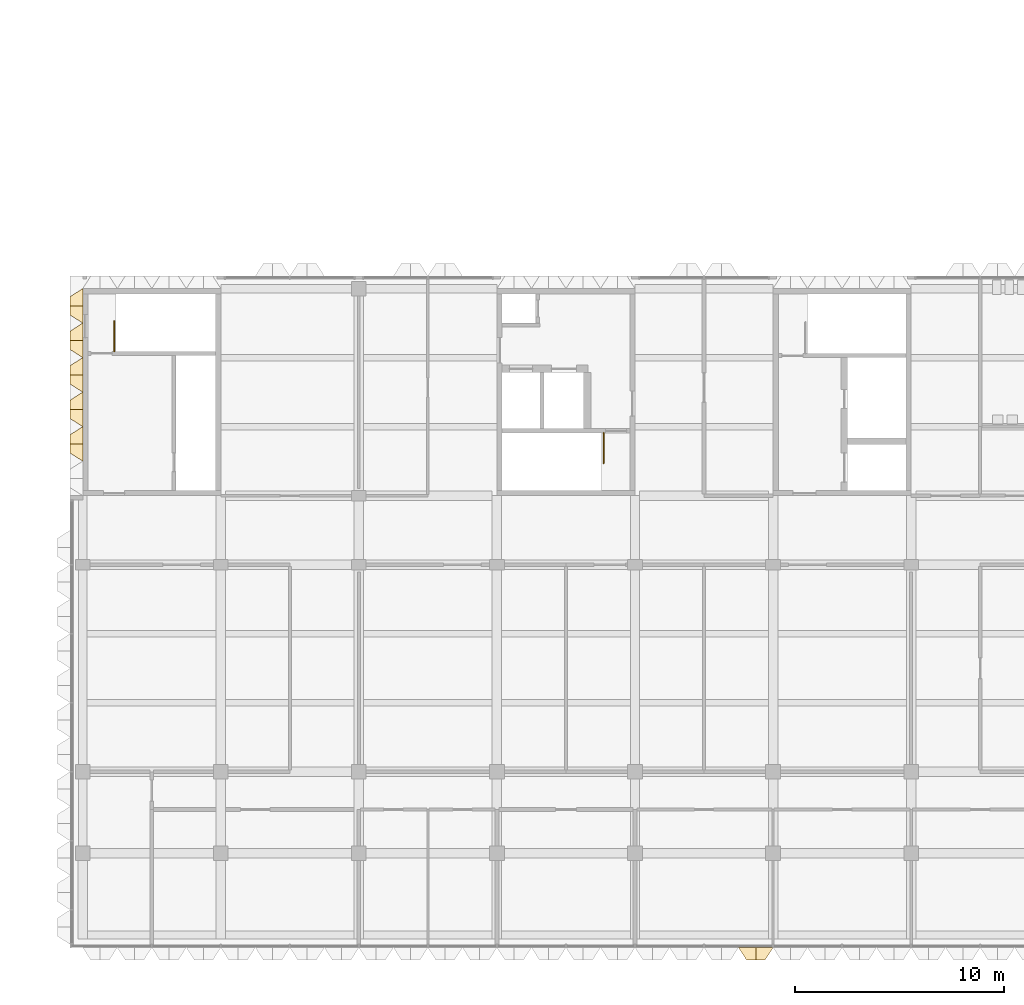
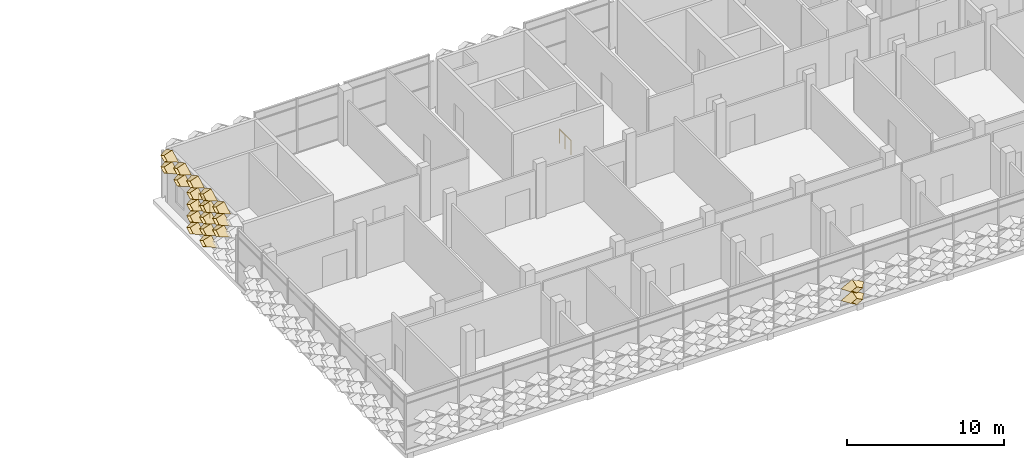
# One storey, part 36 of 61: 19 coverings, 2 railings.
"""IFC4 building model written with IfcOpenShell, lengths in metres."""

from ifc_helpers import new_model, entity, si_unit, direction, frame, origin, origin_2d, place, context, subcontext, project, spatial, circle, extrude, material, layer, layer_set, type_object, element, save


model = new_model("IFC4")

# Units and contexts
model_context = context("Model", 3, precision=1e-05, world=origin(), true_north=direction((0.0, 1.0)))
body_context = subcontext(model_context, "Body", "Model", "MODEL_VIEW")
ifc_project = project(units=[si_unit("LENGTHUNIT", "METRE"), si_unit("AREAUNIT", "SQUARE_METRE"), si_unit("VOLUMEUNIT", "CUBIC_METRE"), si_unit("PLANEANGLEUNIT", "RADIAN"), si_unit("MASSUNIT", "GRAM", prefix="KILO")], contexts=[model_context])

# Site, building, storey
site_placement = place(None, origin())
site = spatial("IfcSite", under=ifc_project, at=site_placement, CompositionType="ELEMENT")
building_placement = place(site_placement, origin())
building = spatial("IfcBuilding", under=site, at=building_placement, Name="Lantern Court Research Institute", CompositionType="ELEMENT")
storey_placement = place(building_placement, frame((0.0, 0.0, 23.39990234375)))
storey = spatial("IfcBuildingStorey", under=building, at=storey_placement, Name="L05", CompositionType="ELEMENT", Elevation=23.39990234375)

# Coverings
ifc_material_1 = material(Name="Anodised aluminium", Category="aluminium")
ifc_layer = layer(ifc_material_1, 0.01611328125)
ifc_layer_set = layer_set([ifc_layer], Name="Anodised aluminium")
covering_type = type_object("IfcCoveringType", Name="Fin cassette 1650 x 900 x 600 aluminium", PredefinedType="CLADDING", material=ifc_layer_set)
covering_1_placement = place(storey_placement, frame((32.175048828125, -8.39990234375, 0.4501953125), z_axis=(0.0, -1.0, 0.0), x_axis=(1.0, 0.0, 0.0)))
cartesian_point_1 = entity("IfcCartesianPoint", [0.824951171875, 0.0])
cartesian_point_2 = entity("IfcCartesianPoint", [0.79150390625, 0.0])
cartesian_point_3 = entity("IfcCartesianPoint", [0.44189453125, 0.0])
cartesian_point_4 = entity("IfcCartesianPoint", [0.43359375, 0.0])
element("IfcCovering", 1, at=covering_1_placement, inside=storey, type_object=covering_type, Name="Fin cassette V4S-L05 1.20", PredefinedType="CLADDING", context=body_context, shape_type="SweptSolid", body=[
    entity("IfcExtrudedAreaSolidTapered", entity("IfcArbitraryProfileDefWithVoids", "AREA", None, entity("IfcPolyline", [cartesian_point_1, entity("IfcCartesianPoint", [0.0, 0.449951171875]), entity("IfcCartesianPoint", [-0.824951171875, 0.0]), entity("IfcCartesianPoint", [0.0, -0.449951171875]), cartesian_point_1]), [entity("IfcPolyline", [cartesian_point_2, entity("IfcCartesianPoint", [0.0, 0.431884765625]), entity("IfcCartesianPoint", [-0.79150390625, 0.0]), entity("IfcCartesianPoint", [0.0, -0.431884765625]), cartesian_point_2])]), entity("IfcAxis2Placement3D", entity("IfcCartesianPoint", [0.0, 0.0, 0.0])), entity("IfcDirection", [0.0, 0.0, 1.0]), 0.60009765625, entity("IfcArbitraryProfileDefWithVoids", "AREA", None, entity("IfcPolyline", [cartesian_point_3, entity("IfcCartesianPoint", [0.0, 0.240966796875]), entity("IfcCartesianPoint", [-0.44189453125, 0.0]), entity("IfcCartesianPoint", [0.0, -0.240966796875]), cartesian_point_3]), [entity("IfcPolyline", [cartesian_point_4, entity("IfcCartesianPoint", [0.0, 0.236572265625]), entity("IfcCartesianPoint", [-0.43359375, 0.0]), entity("IfcCartesianPoint", [0.0, -0.236572265625]), cartesian_point_4])])),
])
covering_2_placement = place(storey_placement, frame((32.175048828125, -8.39990234375, 1.35009765625), z_axis=(0.0, -1.0, 0.0), x_axis=(1.0, 0.0, 0.0)))
cartesian_point_5 = entity("IfcCartesianPoint", [0.824951171875, 0.0])
cartesian_point_6 = entity("IfcCartesianPoint", [0.79150390625, 0.0])
cartesian_point_7 = entity("IfcCartesianPoint", [0.44189453125, 0.0])
cartesian_point_8 = entity("IfcCartesianPoint", [0.43359375, 0.0])
element("IfcCovering", 2, at=covering_2_placement, inside=storey, type_object=covering_type, Name="Fin cassette V4S-L05 2.20", PredefinedType="CLADDING", context=body_context, shape_type="SweptSolid", body=[
    entity("IfcExtrudedAreaSolidTapered", entity("IfcArbitraryProfileDefWithVoids", "AREA", None, entity("IfcPolyline", [cartesian_point_5, entity("IfcCartesianPoint", [0.0, 0.449951171875]), entity("IfcCartesianPoint", [-0.824951171875, 0.0]), entity("IfcCartesianPoint", [0.0, -0.449951171875]), cartesian_point_5]), [entity("IfcPolyline", [cartesian_point_6, entity("IfcCartesianPoint", [0.0, 0.431884765625]), entity("IfcCartesianPoint", [-0.79150390625, 0.0]), entity("IfcCartesianPoint", [0.0, -0.431884765625]), cartesian_point_6])]), entity("IfcAxis2Placement3D", entity("IfcCartesianPoint", [0.0, 0.0, 0.0])), entity("IfcDirection", [0.0, 0.0, 1.0]), 0.60009765625, entity("IfcArbitraryProfileDefWithVoids", "AREA", None, entity("IfcPolyline", [cartesian_point_7, entity("IfcCartesianPoint", [0.0, 0.240966796875]), entity("IfcCartesianPoint", [-0.44189453125, 0.0]), entity("IfcCartesianPoint", [0.0, -0.240966796875]), cartesian_point_7]), [entity("IfcPolyline", [cartesian_point_8, entity("IfcCartesianPoint", [0.0, 0.236572265625]), entity("IfcCartesianPoint", [-0.43359375, 0.0]), entity("IfcCartesianPoint", [0.0, -0.236572265625]), cartesian_point_8])])),
])
covering_3_placement = place(storey_placement, frame((0.0, 17.324951171875, 0.4501953125), z_axis=(-1.0, 0.0, 0.0), x_axis=(0.0, -1.0, 0.0)))
cartesian_point_9 = entity("IfcCartesianPoint", [0.824951171875, 0.0])
cartesian_point_10 = entity("IfcCartesianPoint", [0.79150390625, 0.0])
cartesian_point_11 = entity("IfcCartesianPoint", [0.44189453125, 0.0])
cartesian_point_12 = entity("IfcCartesianPoint", [0.43359375, 0.0])
element("IfcCovering", 3, at=covering_3_placement, inside=storey, type_object=covering_type, Name="Fin cassette V4W-L05 1.11", PredefinedType="CLADDING", context=body_context, shape_type="SweptSolid", body=[
    entity("IfcExtrudedAreaSolidTapered", entity("IfcArbitraryProfileDefWithVoids", "AREA", None, entity("IfcPolyline", [cartesian_point_9, entity("IfcCartesianPoint", [0.0, 0.449951171875]), entity("IfcCartesianPoint", [-0.824951171875, 0.0]), entity("IfcCartesianPoint", [0.0, -0.449951171875]), cartesian_point_9]), [entity("IfcPolyline", [cartesian_point_10, entity("IfcCartesianPoint", [0.0, 0.431884765625]), entity("IfcCartesianPoint", [-0.79150390625, 0.0]), entity("IfcCartesianPoint", [0.0, -0.431884765625]), cartesian_point_10])]), entity("IfcAxis2Placement3D", entity("IfcCartesianPoint", [0.0, 0.0, 0.0])), entity("IfcDirection", [0.0, 0.0, 1.0]), 0.60009765625, entity("IfcArbitraryProfileDefWithVoids", "AREA", None, entity("IfcPolyline", [cartesian_point_11, entity("IfcCartesianPoint", [0.0, 0.240966796875]), entity("IfcCartesianPoint", [-0.44189453125, 0.0]), entity("IfcCartesianPoint", [0.0, -0.240966796875]), cartesian_point_11]), [entity("IfcPolyline", [cartesian_point_12, entity("IfcCartesianPoint", [0.0, 0.236572265625]), entity("IfcCartesianPoint", [-0.43359375, 0.0]), entity("IfcCartesianPoint", [0.0, -0.236572265625]), cartesian_point_12])])),
])
covering_4_placement = place(storey_placement, frame((0.0, 18.97509765625, 0.4501953125), z_axis=(-1.0, 0.0, 0.0), x_axis=(0.0, -1.0, 0.0)))
cartesian_point_13 = entity("IfcCartesianPoint", [0.824951171875, 0.0])
cartesian_point_14 = entity("IfcCartesianPoint", [0.79150390625, 0.0])
cartesian_point_15 = entity("IfcCartesianPoint", [0.44189453125, 0.0])
cartesian_point_16 = entity("IfcCartesianPoint", [0.43359375, 0.0])
element("IfcCovering", 4, at=covering_4_placement, inside=storey, type_object=covering_type, Name="Fin cassette V4W-L05 1.12", PredefinedType="CLADDING", context=body_context, shape_type="SweptSolid", body=[
    entity("IfcExtrudedAreaSolidTapered", entity("IfcArbitraryProfileDefWithVoids", "AREA", None, entity("IfcPolyline", [cartesian_point_13, entity("IfcCartesianPoint", [0.0, 0.449951171875]), entity("IfcCartesianPoint", [-0.824951171875, 0.0]), entity("IfcCartesianPoint", [0.0, -0.449951171875]), cartesian_point_13]), [entity("IfcPolyline", [cartesian_point_14, entity("IfcCartesianPoint", [0.0, 0.431884765625]), entity("IfcCartesianPoint", [-0.79150390625, 0.0]), entity("IfcCartesianPoint", [0.0, -0.431884765625]), cartesian_point_14])]), entity("IfcAxis2Placement3D", entity("IfcCartesianPoint", [0.0, 0.0, 0.0])), entity("IfcDirection", [0.0, 0.0, 1.0]), 0.60009765625, entity("IfcArbitraryProfileDefWithVoids", "AREA", None, entity("IfcPolyline", [cartesian_point_15, entity("IfcCartesianPoint", [0.0, 0.240966796875]), entity("IfcCartesianPoint", [-0.44189453125, 0.0]), entity("IfcCartesianPoint", [0.0, -0.240966796875]), cartesian_point_15]), [entity("IfcPolyline", [cartesian_point_16, entity("IfcCartesianPoint", [0.0, 0.236572265625]), entity("IfcCartesianPoint", [-0.43359375, 0.0]), entity("IfcCartesianPoint", [0.0, -0.236572265625]), cartesian_point_16])])),
])
covering_5_placement = place(storey_placement, frame((0.0, 17.324951171875, 1.35009765625), z_axis=(-1.0, 0.0, 0.0), x_axis=(0.0, -1.0, 0.0)))
cartesian_point_17 = entity("IfcCartesianPoint", [0.824951171875, 0.0])
cartesian_point_18 = entity("IfcCartesianPoint", [0.79150390625, 0.0])
cartesian_point_19 = entity("IfcCartesianPoint", [0.44189453125, 0.0])
cartesian_point_20 = entity("IfcCartesianPoint", [0.43359375, 0.0])
element("IfcCovering", 5, at=covering_5_placement, inside=storey, type_object=covering_type, Name="Fin cassette V4W-L05 2.11", PredefinedType="CLADDING", context=body_context, shape_type="SweptSolid", body=[
    entity("IfcExtrudedAreaSolidTapered", entity("IfcArbitraryProfileDefWithVoids", "AREA", None, entity("IfcPolyline", [cartesian_point_17, entity("IfcCartesianPoint", [0.0, 0.449951171875]), entity("IfcCartesianPoint", [-0.824951171875, 0.0]), entity("IfcCartesianPoint", [0.0, -0.449951171875]), cartesian_point_17]), [entity("IfcPolyline", [cartesian_point_18, entity("IfcCartesianPoint", [0.0, 0.431884765625]), entity("IfcCartesianPoint", [-0.79150390625, 0.0]), entity("IfcCartesianPoint", [0.0, -0.431884765625]), cartesian_point_18])]), entity("IfcAxis2Placement3D", entity("IfcCartesianPoint", [0.0, 0.0, 0.0])), entity("IfcDirection", [0.0, 0.0, 1.0]), 0.60009765625, entity("IfcArbitraryProfileDefWithVoids", "AREA", None, entity("IfcPolyline", [cartesian_point_19, entity("IfcCartesianPoint", [0.0, 0.240966796875]), entity("IfcCartesianPoint", [-0.44189453125, 0.0]), entity("IfcCartesianPoint", [0.0, -0.240966796875]), cartesian_point_19]), [entity("IfcPolyline", [cartesian_point_20, entity("IfcCartesianPoint", [0.0, 0.236572265625]), entity("IfcCartesianPoint", [-0.43359375, 0.0]), entity("IfcCartesianPoint", [0.0, -0.236572265625]), cartesian_point_20])])),
])
covering_6_placement = place(storey_placement, frame((0.0, 18.97509765625, 1.35009765625), z_axis=(-1.0, 0.0, 0.0), x_axis=(0.0, -1.0, 0.0)))
cartesian_point_21 = entity("IfcCartesianPoint", [0.824951171875, 0.0])
cartesian_point_22 = entity("IfcCartesianPoint", [0.79150390625, 0.0])
cartesian_point_23 = entity("IfcCartesianPoint", [0.44189453125, 0.0])
cartesian_point_24 = entity("IfcCartesianPoint", [0.43359375, 0.0])
element("IfcCovering", 6, at=covering_6_placement, inside=storey, type_object=covering_type, Name="Fin cassette V4W-L05 2.12", PredefinedType="CLADDING", context=body_context, shape_type="SweptSolid", body=[
    entity("IfcExtrudedAreaSolidTapered", entity("IfcArbitraryProfileDefWithVoids", "AREA", None, entity("IfcPolyline", [cartesian_point_21, entity("IfcCartesianPoint", [0.0, 0.449951171875]), entity("IfcCartesianPoint", [-0.824951171875, 0.0]), entity("IfcCartesianPoint", [0.0, -0.449951171875]), cartesian_point_21]), [entity("IfcPolyline", [cartesian_point_22, entity("IfcCartesianPoint", [0.0, 0.431884765625]), entity("IfcCartesianPoint", [-0.79150390625, 0.0]), entity("IfcCartesianPoint", [0.0, -0.431884765625]), cartesian_point_22])]), entity("IfcAxis2Placement3D", entity("IfcCartesianPoint", [0.0, 0.0, 0.0])), entity("IfcDirection", [0.0, 0.0, 1.0]), 0.60009765625, entity("IfcArbitraryProfileDefWithVoids", "AREA", None, entity("IfcPolyline", [cartesian_point_23, entity("IfcCartesianPoint", [0.0, 0.240966796875]), entity("IfcCartesianPoint", [-0.44189453125, 0.0]), entity("IfcCartesianPoint", [0.0, -0.240966796875]), cartesian_point_23]), [entity("IfcPolyline", [cartesian_point_24, entity("IfcCartesianPoint", [0.0, 0.236572265625]), entity("IfcCartesianPoint", [-0.43359375, 0.0]), entity("IfcCartesianPoint", [0.0, -0.236572265625]), cartesian_point_24])])),
])
covering_7_placement = place(storey_placement, frame((0.0, 15.675048828125, 2.25), z_axis=(-1.0, 0.0, 0.0), x_axis=(0.0, -1.0, 0.0)))
cartesian_point_25 = entity("IfcCartesianPoint", [0.824951171875, 0.0])
cartesian_point_26 = entity("IfcCartesianPoint", [0.79150390625, 0.0])
cartesian_point_27 = entity("IfcCartesianPoint", [0.44189453125, 0.0])
cartesian_point_28 = entity("IfcCartesianPoint", [0.43359375, 0.0])
element("IfcCovering", 7, at=covering_7_placement, inside=storey, type_object=covering_type, Name="Fin cassette V4W-L05 3.10", PredefinedType="CLADDING", context=body_context, shape_type="SweptSolid", body=[
    entity("IfcExtrudedAreaSolidTapered", entity("IfcArbitraryProfileDefWithVoids", "AREA", None, entity("IfcPolyline", [cartesian_point_25, entity("IfcCartesianPoint", [0.0, 0.449951171875]), entity("IfcCartesianPoint", [-0.824951171875, 0.0]), entity("IfcCartesianPoint", [0.0, -0.449951171875]), cartesian_point_25]), [entity("IfcPolyline", [cartesian_point_26, entity("IfcCartesianPoint", [0.0, 0.431884765625]), entity("IfcCartesianPoint", [-0.79150390625, 0.0]), entity("IfcCartesianPoint", [0.0, -0.431884765625]), cartesian_point_26])]), entity("IfcAxis2Placement3D", entity("IfcCartesianPoint", [0.0, 0.0, 0.0])), entity("IfcDirection", [0.0, 0.0, 1.0]), 0.60009765625, entity("IfcArbitraryProfileDefWithVoids", "AREA", None, entity("IfcPolyline", [cartesian_point_27, entity("IfcCartesianPoint", [0.0, 0.240966796875]), entity("IfcCartesianPoint", [-0.44189453125, 0.0]), entity("IfcCartesianPoint", [0.0, -0.240966796875]), cartesian_point_27]), [entity("IfcPolyline", [cartesian_point_28, entity("IfcCartesianPoint", [0.0, 0.236572265625]), entity("IfcCartesianPoint", [-0.43359375, 0.0]), entity("IfcCartesianPoint", [0.0, -0.236572265625]), cartesian_point_28])])),
])
covering_8_placement = place(storey_placement, frame((0.0, 17.324951171875, 2.25), z_axis=(-1.0, 0.0, 0.0), x_axis=(0.0, -1.0, 0.0)))
cartesian_point_29 = entity("IfcCartesianPoint", [0.824951171875, 0.0])
cartesian_point_30 = entity("IfcCartesianPoint", [0.79150390625, 0.0])
cartesian_point_31 = entity("IfcCartesianPoint", [0.44189453125, 0.0])
cartesian_point_32 = entity("IfcCartesianPoint", [0.43359375, 0.0])
element("IfcCovering", 8, at=covering_8_placement, inside=storey, type_object=covering_type, Name="Fin cassette V4W-L05 3.11", PredefinedType="CLADDING", context=body_context, shape_type="SweptSolid", body=[
    entity("IfcExtrudedAreaSolidTapered", entity("IfcArbitraryProfileDefWithVoids", "AREA", None, entity("IfcPolyline", [cartesian_point_29, entity("IfcCartesianPoint", [0.0, 0.449951171875]), entity("IfcCartesianPoint", [-0.824951171875, 0.0]), entity("IfcCartesianPoint", [0.0, -0.449951171875]), cartesian_point_29]), [entity("IfcPolyline", [cartesian_point_30, entity("IfcCartesianPoint", [0.0, 0.431884765625]), entity("IfcCartesianPoint", [-0.79150390625, 0.0]), entity("IfcCartesianPoint", [0.0, -0.431884765625]), cartesian_point_30])]), entity("IfcAxis2Placement3D", entity("IfcCartesianPoint", [0.0, 0.0, 0.0])), entity("IfcDirection", [0.0, 0.0, 1.0]), 0.60009765625, entity("IfcArbitraryProfileDefWithVoids", "AREA", None, entity("IfcPolyline", [cartesian_point_31, entity("IfcCartesianPoint", [0.0, 0.240966796875]), entity("IfcCartesianPoint", [-0.44189453125, 0.0]), entity("IfcCartesianPoint", [0.0, -0.240966796875]), cartesian_point_31]), [entity("IfcPolyline", [cartesian_point_32, entity("IfcCartesianPoint", [0.0, 0.236572265625]), entity("IfcCartesianPoint", [-0.43359375, 0.0]), entity("IfcCartesianPoint", [0.0, -0.236572265625]), cartesian_point_32])])),
])
covering_9_placement = place(storey_placement, frame((0.0, 18.97509765625, 2.25), z_axis=(-1.0, 0.0, 0.0), x_axis=(0.0, -1.0, 0.0)))
cartesian_point_33 = entity("IfcCartesianPoint", [0.824951171875, 0.0])
cartesian_point_34 = entity("IfcCartesianPoint", [0.79150390625, 0.0])
cartesian_point_35 = entity("IfcCartesianPoint", [0.44189453125, 0.0])
cartesian_point_36 = entity("IfcCartesianPoint", [0.43359375, 0.0])
element("IfcCovering", 9, at=covering_9_placement, inside=storey, type_object=covering_type, Name="Fin cassette V4W-L05 3.12", PredefinedType="CLADDING", context=body_context, shape_type="SweptSolid", body=[
    entity("IfcExtrudedAreaSolidTapered", entity("IfcArbitraryProfileDefWithVoids", "AREA", None, entity("IfcPolyline", [cartesian_point_33, entity("IfcCartesianPoint", [0.0, 0.449951171875]), entity("IfcCartesianPoint", [-0.824951171875, 0.0]), entity("IfcCartesianPoint", [0.0, -0.449951171875]), cartesian_point_33]), [entity("IfcPolyline", [cartesian_point_34, entity("IfcCartesianPoint", [0.0, 0.431884765625]), entity("IfcCartesianPoint", [-0.79150390625, 0.0]), entity("IfcCartesianPoint", [0.0, -0.431884765625]), cartesian_point_34])]), entity("IfcAxis2Placement3D", entity("IfcCartesianPoint", [0.0, 0.0, 0.0])), entity("IfcDirection", [0.0, 0.0, 1.0]), 0.60009765625, entity("IfcArbitraryProfileDefWithVoids", "AREA", None, entity("IfcPolyline", [cartesian_point_35, entity("IfcCartesianPoint", [0.0, 0.240966796875]), entity("IfcCartesianPoint", [-0.44189453125, 0.0]), entity("IfcCartesianPoint", [0.0, -0.240966796875]), cartesian_point_35]), [entity("IfcPolyline", [cartesian_point_36, entity("IfcCartesianPoint", [0.0, 0.236572265625]), entity("IfcCartesianPoint", [-0.43359375, 0.0]), entity("IfcCartesianPoint", [0.0, -0.236572265625]), cartesian_point_36])])),
])
covering_10_placement = place(storey_placement, frame((0.0, 15.675048828125, 3.150146484375), z_axis=(-1.0, 0.0, 0.0), x_axis=(0.0, -1.0, 0.0)))
cartesian_point_37 = entity("IfcCartesianPoint", [0.824951171875, 0.0])
cartesian_point_38 = entity("IfcCartesianPoint", [0.79150390625, 0.0])
cartesian_point_39 = entity("IfcCartesianPoint", [0.44189453125, 0.0])
cartesian_point_40 = entity("IfcCartesianPoint", [0.43359375, 0.0])
element("IfcCovering", 10, at=covering_10_placement, inside=storey, type_object=covering_type, Name="Fin cassette V4W-L05 4.10", PredefinedType="CLADDING", context=body_context, shape_type="SweptSolid", body=[
    entity("IfcExtrudedAreaSolidTapered", entity("IfcArbitraryProfileDefWithVoids", "AREA", None, entity("IfcPolyline", [cartesian_point_37, entity("IfcCartesianPoint", [0.0, 0.449951171875]), entity("IfcCartesianPoint", [-0.824951171875, 0.0]), entity("IfcCartesianPoint", [0.0, -0.449951171875]), cartesian_point_37]), [entity("IfcPolyline", [cartesian_point_38, entity("IfcCartesianPoint", [0.0, 0.431884765625]), entity("IfcCartesianPoint", [-0.79150390625, 0.0]), entity("IfcCartesianPoint", [0.0, -0.431884765625]), cartesian_point_38])]), entity("IfcAxis2Placement3D", entity("IfcCartesianPoint", [0.0, 0.0, 0.0])), entity("IfcDirection", [0.0, 0.0, 1.0]), 0.60009765625, entity("IfcArbitraryProfileDefWithVoids", "AREA", None, entity("IfcPolyline", [cartesian_point_39, entity("IfcCartesianPoint", [0.0, 0.240966796875]), entity("IfcCartesianPoint", [-0.44189453125, 0.0]), entity("IfcCartesianPoint", [0.0, -0.240966796875]), cartesian_point_39]), [entity("IfcPolyline", [cartesian_point_40, entity("IfcCartesianPoint", [0.0, 0.236572265625]), entity("IfcCartesianPoint", [-0.43359375, 0.0]), entity("IfcCartesianPoint", [0.0, -0.236572265625]), cartesian_point_40])])),
])
covering_11_placement = place(storey_placement, frame((0.0, 17.324951171875, 3.150146484375), z_axis=(-1.0, 0.0, 0.0), x_axis=(0.0, -1.0, 0.0)))
cartesian_point_41 = entity("IfcCartesianPoint", [0.824951171875, 0.0])
cartesian_point_42 = entity("IfcCartesianPoint", [0.79150390625, 0.0])
cartesian_point_43 = entity("IfcCartesianPoint", [0.44189453125, 0.0])
cartesian_point_44 = entity("IfcCartesianPoint", [0.43359375, 0.0])
element("IfcCovering", 11, at=covering_11_placement, inside=storey, type_object=covering_type, Name="Fin cassette V4W-L05 4.11", PredefinedType="CLADDING", context=body_context, shape_type="SweptSolid", body=[
    entity("IfcExtrudedAreaSolidTapered", entity("IfcArbitraryProfileDefWithVoids", "AREA", None, entity("IfcPolyline", [cartesian_point_41, entity("IfcCartesianPoint", [0.0, 0.449951171875]), entity("IfcCartesianPoint", [-0.824951171875, 0.0]), entity("IfcCartesianPoint", [0.0, -0.449951171875]), cartesian_point_41]), [entity("IfcPolyline", [cartesian_point_42, entity("IfcCartesianPoint", [0.0, 0.431884765625]), entity("IfcCartesianPoint", [-0.79150390625, 0.0]), entity("IfcCartesianPoint", [0.0, -0.431884765625]), cartesian_point_42])]), entity("IfcAxis2Placement3D", entity("IfcCartesianPoint", [0.0, 0.0, 0.0])), entity("IfcDirection", [0.0, 0.0, 1.0]), 0.60009765625, entity("IfcArbitraryProfileDefWithVoids", "AREA", None, entity("IfcPolyline", [cartesian_point_43, entity("IfcCartesianPoint", [0.0, 0.240966796875]), entity("IfcCartesianPoint", [-0.44189453125, 0.0]), entity("IfcCartesianPoint", [0.0, -0.240966796875]), cartesian_point_43]), [entity("IfcPolyline", [cartesian_point_44, entity("IfcCartesianPoint", [0.0, 0.236572265625]), entity("IfcCartesianPoint", [-0.43359375, 0.0]), entity("IfcCartesianPoint", [0.0, -0.236572265625]), cartesian_point_44])])),
])
covering_12_placement = place(storey_placement, frame((0.0, 18.97509765625, 3.150146484375), z_axis=(-1.0, 0.0, 0.0), x_axis=(0.0, -1.0, 0.0)))
cartesian_point_45 = entity("IfcCartesianPoint", [0.824951171875, 0.0])
cartesian_point_46 = entity("IfcCartesianPoint", [0.79150390625, 0.0])
cartesian_point_47 = entity("IfcCartesianPoint", [0.44189453125, 0.0])
cartesian_point_48 = entity("IfcCartesianPoint", [0.43359375, 0.0])
element("IfcCovering", 12, at=covering_12_placement, inside=storey, type_object=covering_type, Name="Fin cassette V4W-L05 4.12", PredefinedType="CLADDING", context=body_context, shape_type="SweptSolid", body=[
    entity("IfcExtrudedAreaSolidTapered", entity("IfcArbitraryProfileDefWithVoids", "AREA", None, entity("IfcPolyline", [cartesian_point_45, entity("IfcCartesianPoint", [0.0, 0.449951171875]), entity("IfcCartesianPoint", [-0.824951171875, 0.0]), entity("IfcCartesianPoint", [0.0, -0.449951171875]), cartesian_point_45]), [entity("IfcPolyline", [cartesian_point_46, entity("IfcCartesianPoint", [0.0, 0.431884765625]), entity("IfcCartesianPoint", [-0.79150390625, 0.0]), entity("IfcCartesianPoint", [0.0, -0.431884765625]), cartesian_point_46])]), entity("IfcAxis2Placement3D", entity("IfcCartesianPoint", [0.0, 0.0, 0.0])), entity("IfcDirection", [0.0, 0.0, 1.0]), 0.60009765625, entity("IfcArbitraryProfileDefWithVoids", "AREA", None, entity("IfcPolyline", [cartesian_point_47, entity("IfcCartesianPoint", [0.0, 0.240966796875]), entity("IfcCartesianPoint", [-0.44189453125, 0.0]), entity("IfcCartesianPoint", [0.0, -0.240966796875]), cartesian_point_47]), [entity("IfcPolyline", [cartesian_point_48, entity("IfcCartesianPoint", [0.0, 0.236572265625]), entity("IfcCartesianPoint", [-0.43359375, 0.0]), entity("IfcCartesianPoint", [0.0, -0.236572265625]), cartesian_point_48])])),
])
covering_13_placement = place(storey_placement, frame((0.0, 20.625, 3.150146484375), z_axis=(-1.0, 0.0, 0.0), x_axis=(0.0, -1.0, 0.0)))
cartesian_point_49 = entity("IfcCartesianPoint", [0.824951171875, 0.0])
cartesian_point_50 = entity("IfcCartesianPoint", [0.79150390625, 0.0])
cartesian_point_51 = entity("IfcCartesianPoint", [0.44189453125, 0.0])
cartesian_point_52 = entity("IfcCartesianPoint", [0.43359375, 0.0])
element("IfcCovering", 13, at=covering_13_placement, inside=storey, type_object=covering_type, Name="Fin cassette V4W-L05 4.13", PredefinedType="CLADDING", context=body_context, shape_type="SweptSolid", body=[
    entity("IfcExtrudedAreaSolidTapered", entity("IfcArbitraryProfileDefWithVoids", "AREA", None, entity("IfcPolyline", [cartesian_point_49, entity("IfcCartesianPoint", [0.0, 0.449951171875]), entity("IfcCartesianPoint", [-0.824951171875, 0.0]), entity("IfcCartesianPoint", [0.0, -0.449951171875]), cartesian_point_49]), [entity("IfcPolyline", [cartesian_point_50, entity("IfcCartesianPoint", [0.0, 0.431884765625]), entity("IfcCartesianPoint", [-0.79150390625, 0.0]), entity("IfcCartesianPoint", [0.0, -0.431884765625]), cartesian_point_50])]), entity("IfcAxis2Placement3D", entity("IfcCartesianPoint", [0.0, 0.0, 0.0])), entity("IfcDirection", [0.0, 0.0, 1.0]), 0.60009765625, entity("IfcArbitraryProfileDefWithVoids", "AREA", None, entity("IfcPolyline", [cartesian_point_51, entity("IfcCartesianPoint", [0.0, 0.240966796875]), entity("IfcCartesianPoint", [-0.44189453125, 0.0]), entity("IfcCartesianPoint", [0.0, -0.240966796875]), cartesian_point_51]), [entity("IfcPolyline", [cartesian_point_52, entity("IfcCartesianPoint", [0.0, 0.236572265625]), entity("IfcCartesianPoint", [-0.43359375, 0.0]), entity("IfcCartesianPoint", [0.0, -0.236572265625]), cartesian_point_52])])),
])
covering_14_placement = place(storey_placement, frame((0.0, 22.27490234375, 3.150146484375), z_axis=(-1.0, 0.0, 0.0), x_axis=(0.0, -1.0, 0.0)))
cartesian_point_53 = entity("IfcCartesianPoint", [0.824951171875, 0.0])
cartesian_point_54 = entity("IfcCartesianPoint", [0.79150390625, 0.0])
cartesian_point_55 = entity("IfcCartesianPoint", [0.44189453125, 0.0])
cartesian_point_56 = entity("IfcCartesianPoint", [0.43359375, 0.0])
element("IfcCovering", 14, at=covering_14_placement, inside=storey, type_object=covering_type, Name="Fin cassette V4W-L05 4.14", PredefinedType="CLADDING", context=body_context, shape_type="SweptSolid", body=[
    entity("IfcExtrudedAreaSolidTapered", entity("IfcArbitraryProfileDefWithVoids", "AREA", None, entity("IfcPolyline", [cartesian_point_53, entity("IfcCartesianPoint", [0.0, 0.449951171875]), entity("IfcCartesianPoint", [-0.824951171875, 0.0]), entity("IfcCartesianPoint", [0.0, -0.449951171875]), cartesian_point_53]), [entity("IfcPolyline", [cartesian_point_54, entity("IfcCartesianPoint", [0.0, 0.431884765625]), entity("IfcCartesianPoint", [-0.79150390625, 0.0]), entity("IfcCartesianPoint", [0.0, -0.431884765625]), cartesian_point_54])]), entity("IfcAxis2Placement3D", entity("IfcCartesianPoint", [0.0, 0.0, 0.0])), entity("IfcDirection", [0.0, 0.0, 1.0]), 0.60009765625, entity("IfcArbitraryProfileDefWithVoids", "AREA", None, entity("IfcPolyline", [cartesian_point_55, entity("IfcCartesianPoint", [0.0, 0.240966796875]), entity("IfcCartesianPoint", [-0.44189453125, 0.0]), entity("IfcCartesianPoint", [0.0, -0.240966796875]), cartesian_point_55]), [entity("IfcPolyline", [cartesian_point_56, entity("IfcCartesianPoint", [0.0, 0.236572265625]), entity("IfcCartesianPoint", [-0.43359375, 0.0]), entity("IfcCartesianPoint", [0.0, -0.236572265625]), cartesian_point_56])])),
])
covering_15_placement = place(storey_placement, frame((0.0, 15.675048828125, 4.050048828125), z_axis=(-1.0, 0.0, 0.0), x_axis=(0.0, -1.0, 0.0)))
cartesian_point_57 = entity("IfcCartesianPoint", [0.824951171875, 0.0])
cartesian_point_58 = entity("IfcCartesianPoint", [0.79150390625, 0.0])
cartesian_point_59 = entity("IfcCartesianPoint", [0.44189453125, 0.0])
cartesian_point_60 = entity("IfcCartesianPoint", [0.43359375, 0.0])
element("IfcCovering", 15, at=covering_15_placement, inside=storey, type_object=covering_type, Name="Fin cassette V4W-L05 5.10", PredefinedType="CLADDING", context=body_context, shape_type="SweptSolid", body=[
    entity("IfcExtrudedAreaSolidTapered", entity("IfcArbitraryProfileDefWithVoids", "AREA", None, entity("IfcPolyline", [cartesian_point_57, entity("IfcCartesianPoint", [0.0, 0.449951171875]), entity("IfcCartesianPoint", [-0.824951171875, 0.0]), entity("IfcCartesianPoint", [0.0, -0.449951171875]), cartesian_point_57]), [entity("IfcPolyline", [cartesian_point_58, entity("IfcCartesianPoint", [0.0, 0.431884765625]), entity("IfcCartesianPoint", [-0.79150390625, 0.0]), entity("IfcCartesianPoint", [0.0, -0.431884765625]), cartesian_point_58])]), entity("IfcAxis2Placement3D", entity("IfcCartesianPoint", [0.0, 0.0, 0.0])), entity("IfcDirection", [0.0, 0.0, 1.0]), 0.60009765625, entity("IfcArbitraryProfileDefWithVoids", "AREA", None, entity("IfcPolyline", [cartesian_point_59, entity("IfcCartesianPoint", [0.0, 0.240966796875]), entity("IfcCartesianPoint", [-0.44189453125, 0.0]), entity("IfcCartesianPoint", [0.0, -0.240966796875]), cartesian_point_59]), [entity("IfcPolyline", [cartesian_point_60, entity("IfcCartesianPoint", [0.0, 0.236572265625]), entity("IfcCartesianPoint", [-0.43359375, 0.0]), entity("IfcCartesianPoint", [0.0, -0.236572265625]), cartesian_point_60])])),
])
covering_16_placement = place(storey_placement, frame((0.0, 17.324951171875, 4.050048828125), z_axis=(-1.0, 0.0, 0.0), x_axis=(0.0, -1.0, 0.0)))
cartesian_point_61 = entity("IfcCartesianPoint", [0.824951171875, 0.0])
cartesian_point_62 = entity("IfcCartesianPoint", [0.79150390625, 0.0])
cartesian_point_63 = entity("IfcCartesianPoint", [0.44189453125, 0.0])
cartesian_point_64 = entity("IfcCartesianPoint", [0.43359375, 0.0])
element("IfcCovering", 16, at=covering_16_placement, inside=storey, type_object=covering_type, Name="Fin cassette V4W-L05 5.11", PredefinedType="CLADDING", context=body_context, shape_type="SweptSolid", body=[
    entity("IfcExtrudedAreaSolidTapered", entity("IfcArbitraryProfileDefWithVoids", "AREA", None, entity("IfcPolyline", [cartesian_point_61, entity("IfcCartesianPoint", [0.0, 0.449951171875]), entity("IfcCartesianPoint", [-0.824951171875, 0.0]), entity("IfcCartesianPoint", [0.0, -0.449951171875]), cartesian_point_61]), [entity("IfcPolyline", [cartesian_point_62, entity("IfcCartesianPoint", [0.0, 0.431884765625]), entity("IfcCartesianPoint", [-0.79150390625, 0.0]), entity("IfcCartesianPoint", [0.0, -0.431884765625]), cartesian_point_62])]), entity("IfcAxis2Placement3D", entity("IfcCartesianPoint", [0.0, 0.0, 0.0])), entity("IfcDirection", [0.0, 0.0, 1.0]), 0.60009765625, entity("IfcArbitraryProfileDefWithVoids", "AREA", None, entity("IfcPolyline", [cartesian_point_63, entity("IfcCartesianPoint", [0.0, 0.240966796875]), entity("IfcCartesianPoint", [-0.44189453125, 0.0]), entity("IfcCartesianPoint", [0.0, -0.240966796875]), cartesian_point_63]), [entity("IfcPolyline", [cartesian_point_64, entity("IfcCartesianPoint", [0.0, 0.236572265625]), entity("IfcCartesianPoint", [-0.43359375, 0.0]), entity("IfcCartesianPoint", [0.0, -0.236572265625]), cartesian_point_64])])),
])
covering_17_placement = place(storey_placement, frame((0.0, 18.97509765625, 4.050048828125), z_axis=(-1.0, 0.0, 0.0), x_axis=(0.0, -1.0, 0.0)))
cartesian_point_65 = entity("IfcCartesianPoint", [0.824951171875, 0.0])
cartesian_point_66 = entity("IfcCartesianPoint", [0.79150390625, 0.0])
cartesian_point_67 = entity("IfcCartesianPoint", [0.44189453125, 0.0])
cartesian_point_68 = entity("IfcCartesianPoint", [0.43359375, 0.0])
element("IfcCovering", 17, at=covering_17_placement, inside=storey, type_object=covering_type, Name="Fin cassette V4W-L05 5.12", PredefinedType="CLADDING", context=body_context, shape_type="SweptSolid", body=[
    entity("IfcExtrudedAreaSolidTapered", entity("IfcArbitraryProfileDefWithVoids", "AREA", None, entity("IfcPolyline", [cartesian_point_65, entity("IfcCartesianPoint", [0.0, 0.449951171875]), entity("IfcCartesianPoint", [-0.824951171875, 0.0]), entity("IfcCartesianPoint", [0.0, -0.449951171875]), cartesian_point_65]), [entity("IfcPolyline", [cartesian_point_66, entity("IfcCartesianPoint", [0.0, 0.431884765625]), entity("IfcCartesianPoint", [-0.79150390625, 0.0]), entity("IfcCartesianPoint", [0.0, -0.431884765625]), cartesian_point_66])]), entity("IfcAxis2Placement3D", entity("IfcCartesianPoint", [0.0, 0.0, 0.0])), entity("IfcDirection", [0.0, 0.0, 1.0]), 0.60009765625, entity("IfcArbitraryProfileDefWithVoids", "AREA", None, entity("IfcPolyline", [cartesian_point_67, entity("IfcCartesianPoint", [0.0, 0.240966796875]), entity("IfcCartesianPoint", [-0.44189453125, 0.0]), entity("IfcCartesianPoint", [0.0, -0.240966796875]), cartesian_point_67]), [entity("IfcPolyline", [cartesian_point_68, entity("IfcCartesianPoint", [0.0, 0.236572265625]), entity("IfcCartesianPoint", [-0.43359375, 0.0]), entity("IfcCartesianPoint", [0.0, -0.236572265625]), cartesian_point_68])])),
])
covering_18_placement = place(storey_placement, frame((0.0, 20.625, 4.050048828125), z_axis=(-1.0, 0.0, 0.0), x_axis=(0.0, -1.0, 0.0)))
cartesian_point_69 = entity("IfcCartesianPoint", [0.824951171875, 0.0])
cartesian_point_70 = entity("IfcCartesianPoint", [0.79150390625, 0.0])
cartesian_point_71 = entity("IfcCartesianPoint", [0.44189453125, 0.0])
cartesian_point_72 = entity("IfcCartesianPoint", [0.43359375, 0.0])
element("IfcCovering", 18, at=covering_18_placement, inside=storey, type_object=covering_type, Name="Fin cassette V4W-L05 5.13", PredefinedType="CLADDING", context=body_context, shape_type="SweptSolid", body=[
    entity("IfcExtrudedAreaSolidTapered", entity("IfcArbitraryProfileDefWithVoids", "AREA", None, entity("IfcPolyline", [cartesian_point_69, entity("IfcCartesianPoint", [0.0, 0.449951171875]), entity("IfcCartesianPoint", [-0.824951171875, 0.0]), entity("IfcCartesianPoint", [0.0, -0.449951171875]), cartesian_point_69]), [entity("IfcPolyline", [cartesian_point_70, entity("IfcCartesianPoint", [0.0, 0.431884765625]), entity("IfcCartesianPoint", [-0.79150390625, 0.0]), entity("IfcCartesianPoint", [0.0, -0.431884765625]), cartesian_point_70])]), entity("IfcAxis2Placement3D", entity("IfcCartesianPoint", [0.0, 0.0, 0.0])), entity("IfcDirection", [0.0, 0.0, 1.0]), 0.60009765625, entity("IfcArbitraryProfileDefWithVoids", "AREA", None, entity("IfcPolyline", [cartesian_point_71, entity("IfcCartesianPoint", [0.0, 0.240966796875]), entity("IfcCartesianPoint", [-0.44189453125, 0.0]), entity("IfcCartesianPoint", [0.0, -0.240966796875]), cartesian_point_71]), [entity("IfcPolyline", [cartesian_point_72, entity("IfcCartesianPoint", [0.0, 0.236572265625]), entity("IfcCartesianPoint", [-0.43359375, 0.0]), entity("IfcCartesianPoint", [0.0, -0.236572265625]), cartesian_point_72])])),
])
covering_19_placement = place(storey_placement, frame((0.0, 22.27490234375, 4.050048828125), z_axis=(-1.0, 0.0, 0.0), x_axis=(0.0, -1.0, 0.0)))
cartesian_point_73 = entity("IfcCartesianPoint", [0.824951171875, 0.0])
cartesian_point_74 = entity("IfcCartesianPoint", [0.79150390625, 0.0])
cartesian_point_75 = entity("IfcCartesianPoint", [0.44189453125, 0.0])
cartesian_point_76 = entity("IfcCartesianPoint", [0.43359375, 0.0])
element("IfcCovering", 19, at=covering_19_placement, inside=storey, type_object=covering_type, Name="Fin cassette V4W-L05 5.14", PredefinedType="CLADDING", context=body_context, shape_type="SweptSolid", body=[
    entity("IfcExtrudedAreaSolidTapered", entity("IfcArbitraryProfileDefWithVoids", "AREA", None, entity("IfcPolyline", [cartesian_point_73, entity("IfcCartesianPoint", [0.0, 0.449951171875]), entity("IfcCartesianPoint", [-0.824951171875, 0.0]), entity("IfcCartesianPoint", [0.0, -0.449951171875]), cartesian_point_73]), [entity("IfcPolyline", [cartesian_point_74, entity("IfcCartesianPoint", [0.0, 0.431884765625]), entity("IfcCartesianPoint", [-0.79150390625, 0.0]), entity("IfcCartesianPoint", [0.0, -0.431884765625]), cartesian_point_74])]), entity("IfcAxis2Placement3D", entity("IfcCartesianPoint", [0.0, 0.0, 0.0])), entity("IfcDirection", [0.0, 0.0, 1.0]), 0.60009765625, entity("IfcArbitraryProfileDefWithVoids", "AREA", None, entity("IfcPolyline", [cartesian_point_75, entity("IfcCartesianPoint", [0.0, 0.240966796875]), entity("IfcCartesianPoint", [-0.44189453125, 0.0]), entity("IfcCartesianPoint", [0.0, -0.240966796875]), cartesian_point_75]), [entity("IfcPolyline", [cartesian_point_76, entity("IfcCartesianPoint", [0.0, 0.236572265625]), entity("IfcCartesianPoint", [-0.43359375, 0.0]), entity("IfcCartesianPoint", [0.0, -0.236572265625]), cartesian_point_76])])),
])

# Railings
ifc_material_2 = material(Name="Structural steel S355", Category="steel")
railing_type = type_object("IfcRailingType", Name="Stair guard 1100 steel", PredefinedType="GUARDRAIL", material=ifc_material_2)
railing_1_placement = place(storey_placement, frame((1.5, 20.10009765625, 0.0)))
element("IfcRailing", 20, at=railing_1_placement, inside=storey, type_object=railing_type, Name="L05 ST-B1 top well guard 1", PredefinedType="GUARDRAIL", context=body_context, shape_type="SweptSolid", body=[
    extrude(circle(Radius=0.02392578125, at=origin_2d()), frame((0.0, 0.0, 1.076171875), z_axis=(0.0, 1.0, 0.0), x_axis=(-1.0, 0.0, 0.0)), (0.0, 0.0, 1.0), 1.449951171875),
    extrude(circle(Radius=0.02099609375, at=origin_2d()), origin(), (0.0, 0.0, 1.0), 1.052001953125),
    extrude(circle(Radius=0.02099609375, at=origin_2d()), frame((0.0, 0.72509765625, 0.0)), (0.0, 0.0, 1.0), 1.052001953125),
    extrude(circle(Radius=0.02099609375, at=origin_2d()), frame((0.0, 1.449951171875, 0.0)), (0.0, 0.0, 1.0), 1.052001953125),
])
railing_2_placement = place(storey_placement, frame((24.89990234375, 16.199951171875, 0.0)))
element("IfcRailing", 21, at=railing_2_placement, inside=storey, type_object=railing_type, Name="L05 ST-B2 top well guard 1", PredefinedType="GUARDRAIL", context=body_context, shape_type="SweptSolid", body=[
    extrude(circle(Radius=0.02392578125, at=origin_2d()), frame((0.0, 0.0, 1.076171875), z_axis=(0.0, -1.0, 0.0), x_axis=(1.0, 0.0, 0.0)), (0.0, 0.0, 1.0), 1.449951171875),
    extrude(circle(Radius=0.02099609375, at=origin_2d()), origin(), (0.0, 0.0, 1.0), 1.052001953125),
    extrude(circle(Radius=0.02099609375, at=origin_2d()), frame((0.0, -0.72509765625, 0.0)), (0.0, 0.0, 1.0), 1.052001953125),
    extrude(circle(Radius=0.02099609375, at=origin_2d()), frame((0.0, -1.449951171875, 0.0)), (0.0, 0.0, 1.0), 1.052001953125),
])

save(model, "model.ifc")
